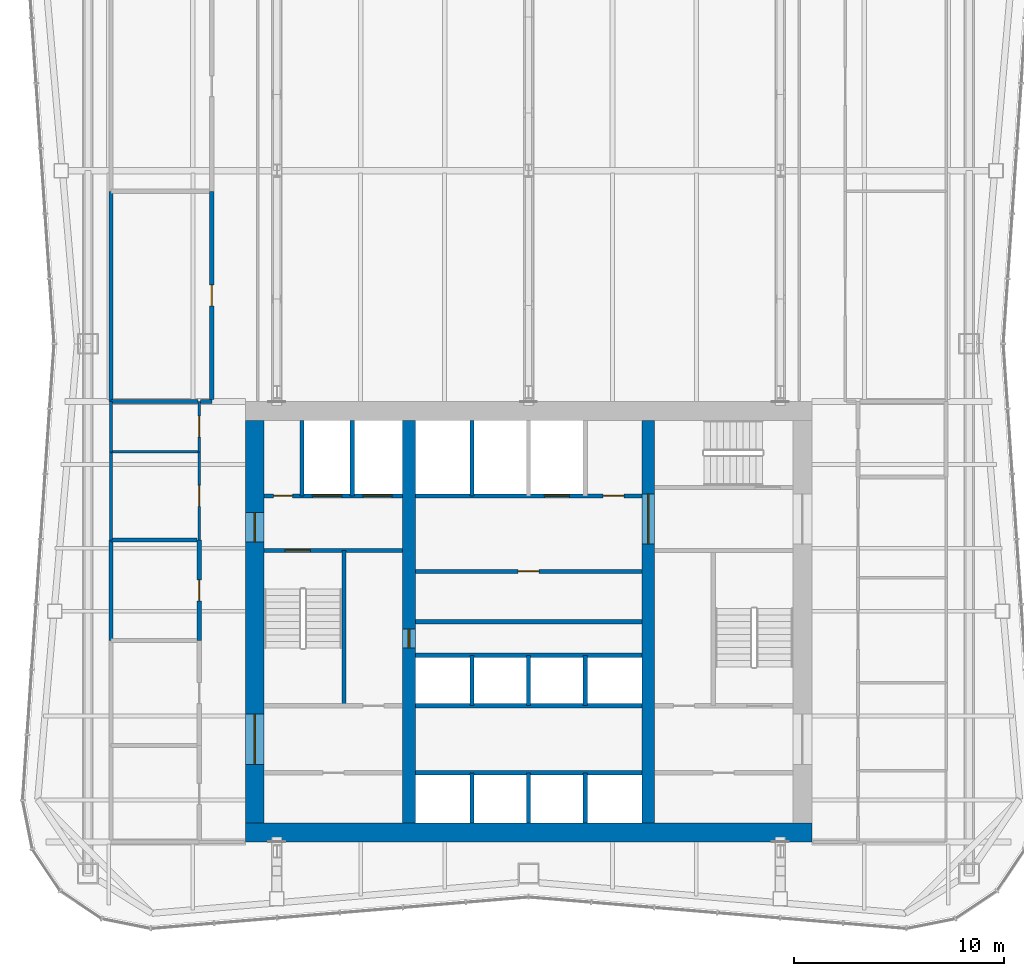
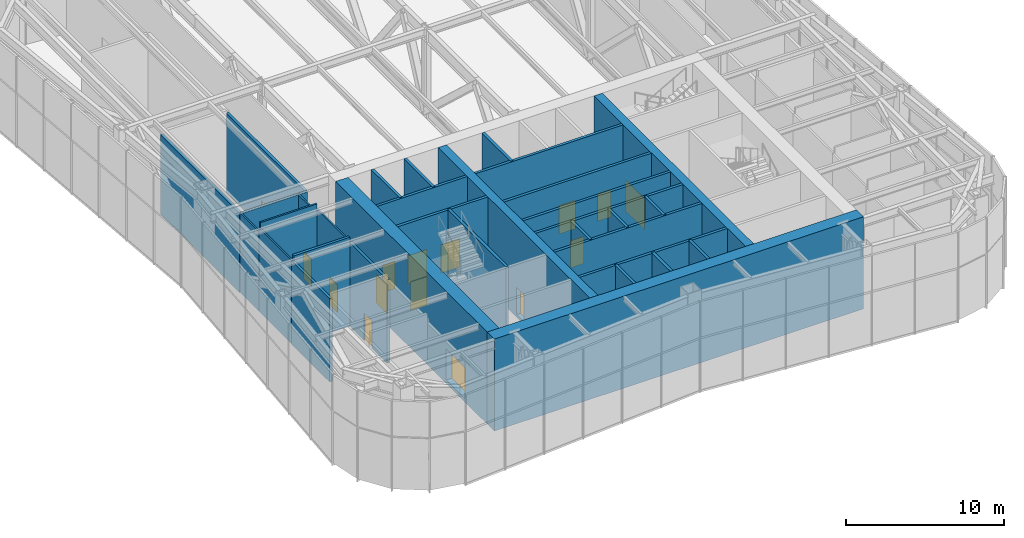
# One storey, part 9 of 14: 34 walls, 15 doors, 15 openings.
"""IFC4 building model written with IfcOpenShell, lengths in metres."""

from ifc_helpers import new_model, si_unit, direction, frame, frame_2d, origin, place, context, subcontext, project, spatial, rectangle, extrude, material, layer, layer_set, type_object, element, fill, save


model = new_model("IFC4")

# Units and contexts
model_context = context("Model", 3, precision=1e-05, world=origin(), true_north=direction((0.0, 1.0)))
body_context = subcontext(model_context, "Body", "Model", "MODEL_VIEW")
ifc_project = project(units=[si_unit("LENGTHUNIT", "METRE"), si_unit("AREAUNIT", "SQUARE_METRE"), si_unit("VOLUMEUNIT", "CUBIC_METRE"), si_unit("PLANEANGLEUNIT", "RADIAN"), si_unit("MASSUNIT", "GRAM", prefix="KILO")], contexts=[model_context])

# Site, building, storey
site_placement = place(None, origin())
site = spatial("IfcSite", under=ifc_project, at=site_placement, CompositionType="ELEMENT")
building_placement = place(site_placement, origin())
building = spatial("IfcBuilding", under=site, at=building_placement, Name="Verdant Reach Tower", CompositionType="ELEMENT")
storey_placement = place(building_placement, frame((0.0, 0.0, 226.0)))
storey = spatial("IfcBuildingStorey", under=building, at=storey_placement, Name="L52 Plant", CompositionType="ELEMENT", Elevation=226.0)

# Wall
ifc_material_1 = material(Name="Gypsum board on steel studs", Category="steel")
ifc_layer_1 = layer(ifc_material_1, 0.199951171875)
ifc_layer_set_1 = layer_set([ifc_layer_1], Name="CO-WALL-ROOM")
wall_type_1 = type_object("IfcWallType", Name="CO-WALL-ROOM", PredefinedType="PARTITIONING", material=ifc_layer_set_1)
wall_1_placement = place(storey_placement, frame((-5.39990234375, 28.0, 0.0), z_axis=(0.0, 0.0, 1.0), x_axis=(1.0, 0.0, 0.0)))
element("IfcWall", 1, at=wall_1_placement, inside=storey, type_object=wall_type_1, Name="Core partition, L52 Plant", PredefinedType="PARTITIONING", context=body_context, shape_type="SweptSolid", body=[
    extrude(rectangle(XDim=10.7998046875, YDim=0.199951171875, at=frame_2d((5.39990234375, 0.0))), origin(), (0.0, 0.0, 1.0), 6.8701171875),
])

# Wall, opening, door
wall_2_placement = place(storey_placement, frame((-5.39990234375, 30.39990234375, 0.0), z_axis=(0.0, 0.0, 1.0), x_axis=(1.0, 0.0, 0.0)))
wall_2 = element("IfcWall", 2, at=wall_2_placement, inside=storey, type_object=wall_type_1, Name="Core partition, L52 Plant", PredefinedType="PARTITIONING", context=body_context, shape_type="SweptSolid", body=[
    extrude(rectangle(XDim=10.7998046875, YDim=0.199951171875, at=frame_2d((5.39990234375, 0.0))), origin(), (0.0, 0.0, 1.0), 6.8701171875),
])
opening_1_placement = place(wall_2_placement, frame((4.89990234375, 0.0, 0.0)))
opening_1 = element("IfcOpeningElement", 3, at=opening_1_placement, cuts=wall_2, Name="Opening CD", PredefinedType="OPENING", context=body_context, shape_type="SweptSolid", body=[
    extrude(rectangle(XDim=1.0, YDim=2.10009765625, at=frame_2d((0.5, 1.050048828125))), frame((0.0, 0.10986328125, 0.0), z_axis=(0.0, -1.0, 0.0), x_axis=(1.0, 0.0, 0.0)), (0.0, 0.0, 1.0), 0.219970703125),
])
ifc_material_2 = material(Name="Timber", Category="wood")
door_type_1 = type_object("IfcDoorType", Name="CO-DOOR-ROOM", OperationType="NOTDEFINED", PredefinedType="DOOR", material=ifc_material_2)
door_1_placement = place(opening_1_placement, origin())
door_1 = element("IfcDoor", 4, at=door_1_placement, inside=storey, type_object=door_type_1, Name="Core room door, L52 Plant", OperationType="SINGLE_SWING_RIGHT", OverallHeight=2.10009765625, OverallWidth=1.0, PredefinedType="DOOR", context=body_context, shape_type="SweptSolid", body=[
    extrude(rectangle(XDim=1.0, YDim=2.10009765625, at=frame_2d((0.5, 1.050048828125))), frame((0.0, 0.02490234375, 0.0), z_axis=(0.0, -1.0, 0.0), x_axis=(1.0, 0.0, 0.0)), (0.0, 0.0, 1.0), 0.050048828125),
])
fill(opening_1, door_1)

# Walls
ifc_material_3 = material(Name="Concrete C40/50", Category="concrete")
ifc_layer_2 = layer(ifc_material_3, 0.199951171875)
ifc_layer_set_2 = layer_set([ifc_layer_2], Name="CO-WALL-SHAFT")
wall_type_2 = type_object("IfcWallType", Name="CO-WALL-SHAFT", PredefinedType="PARTITIONING", material=ifc_layer_set_2)
for number, where, z_axis, x_axis, name in (
    (5, (-5.39990234375, 20.800048828125, 0.0), (0.0, 0.0, 1.0), (1.0, 0.0, 0.0), "Lift shaft wall, L52 Plant"),
    (6, (-5.39990234375, 24.0, 0.0), (0.0, 0.0, 1.0), (1.0, 0.0, 0.0), "Lift shaft wall, L52 Plant"),
    (7, (-5.39990234375, 26.39990234375, 0.0), (0.0, 0.0, 1.0), (1.0, 0.0, 0.0), "Lift shaft wall, L52 Plant"),
):
    element("IfcWall", number, at=place(storey_placement, frame(where, z_axis=z_axis, x_axis=x_axis)), inside=storey, type_object=wall_type_2, Name=name, PredefinedType="PARTITIONING", context=body_context, shape_type="SweptSolid", body=[
        extrude(rectangle(XDim=10.7998046875, YDim=0.199951171875, at=frame_2d((5.39990234375, 0.0))), origin(), (0.0, 0.0, 1.0), 6.8701171875),
    ])

# Wall, openings, doors
wall_3_placement = place(storey_placement, frame((-12.60009765625, 34.0, 0.0), z_axis=(0.0, 0.0, 1.0), x_axis=(1.0, 0.0, 0.0)))
wall_3 = element("IfcWall", 8, at=wall_3_placement, inside=storey, type_object=wall_type_2, Name="Lift shaft wall, L52 Plant", PredefinedType="PARTITIONING", context=body_context, shape_type="SweptSolid", body=[
    extrude(rectangle(XDim=6.60009765625, YDim=0.199951171875, at=frame_2d((3.300048828125, 0.0))), origin(), (0.0, 0.0, 1.0), 6.8701171875),
])
opening_2_placement = place(wall_3_placement, frame((4.699951171875, 0.0, 0.0)))
opening_2 = element("IfcOpeningElement", 9, at=opening_2_placement, cuts=wall_3, Name="Opening LD-F1", PredefinedType="OPENING", context=body_context, shape_type="SweptSolid", body=[
    extrude(rectangle(XDim=1.39990234375, YDim=2.199951171875, at=frame_2d((0.699951171875, 1.10009765625))), frame((0.0, 0.10986328125, 0.0), z_axis=(0.0, -1.0, 0.0), x_axis=(1.0, 0.0, 0.0)), (0.0, 0.0, 1.0), 0.219970703125),
])
opening_3_placement = place(wall_3_placement, frame((2.300048828125, 0.0, 0.0)))
opening_3 = element("IfcOpeningElement", 10, at=opening_3_placement, cuts=wall_3, Name="Opening LD-F2", PredefinedType="OPENING", context=body_context, shape_type="SweptSolid", body=[
    extrude(rectangle(XDim=1.39990234375, YDim=2.199951171875, at=frame_2d((0.699951171875, 1.10009765625))), frame((0.0, 0.10986328125, 0.0), z_axis=(0.0, -1.0, 0.0), x_axis=(1.0, 0.0, 0.0)), (0.0, 0.0, 1.0), 0.219970703125),
])
opening_4_placement = place(wall_3_placement, frame((0.449951171875, 0.0, 0.0)))
opening_4 = element("IfcOpeningElement", 11, at=opening_4_placement, cuts=wall_3, Name="Opening RD", PredefinedType="OPENING", context=body_context, shape_type="SweptSolid", body=[
    extrude(rectangle(XDim=0.89990234375, YDim=2.10009765625, at=frame_2d((0.449951171875, 1.050048828125))), frame((0.0, 0.10986328125, 0.0), z_axis=(0.0, -1.0, 0.0), x_axis=(1.0, 0.0, 0.0)), (0.0, 0.0, 1.0), 0.219970703125),
])
ifc_material_4 = material(Name="Stainless steel", Category="steel")
door_type_2 = type_object("IfcDoorType", Name="CO-DOOR-LANDING-FF", OperationType="SLIDING_TO_LEFT", PredefinedType="DOOR", material=ifc_material_4)
door_2_placement = place(opening_2_placement, origin())
door_2 = element("IfcDoor", 12, at=door_2_placement, inside=storey, type_object=door_type_2, Name="Landing door F1, L52 Plant", OperationType="SLIDING_TO_LEFT", OverallHeight=2.199951171875, OverallWidth=1.39990234375, PredefinedType="DOOR", context=body_context, shape_type="SweptSolid", body=[
    extrude(rectangle(XDim=1.39990234375, YDim=2.199951171875, at=frame_2d((0.699951171875, 1.10009765625))), frame((0.0, 0.02490234375, 0.0), z_axis=(0.0, -1.0, 0.0), x_axis=(1.0, 0.0, 0.0)), (0.0, 0.0, 1.0), 0.050048828125),
])
fill(opening_2, door_2)
door_3_placement = place(opening_3_placement, origin())
door_3 = element("IfcDoor", 13, at=door_3_placement, inside=storey, type_object=door_type_2, Name="Landing door F2, L52 Plant", OperationType="SLIDING_TO_LEFT", OverallHeight=2.199951171875, OverallWidth=1.39990234375, PredefinedType="DOOR", context=body_context, shape_type="SweptSolid", body=[
    extrude(rectangle(XDim=1.39990234375, YDim=2.199951171875, at=frame_2d((0.699951171875, 1.10009765625))), frame((0.0, 0.02490234375, 0.0), z_axis=(0.0, -1.0, 0.0), x_axis=(1.0, 0.0, 0.0)), (0.0, 0.0, 1.0), 0.050048828125),
])
fill(opening_3, door_3)
ifc_material_5 = material(Name="Steel", Category="steel")
door_type_3 = type_object("IfcDoorType", Name="CO-DOOR-RISER", OperationType="NOTDEFINED", PredefinedType="DOOR", material=ifc_material_5)
door_4_placement = place(opening_4_placement, origin())
door_4 = element("IfcDoor", 14, at=door_4_placement, inside=storey, type_object=door_type_3, Name="Core room door, L52 Plant", OperationType="SINGLE_SWING_RIGHT", OverallHeight=2.10009765625, OverallWidth=0.89990234375, PredefinedType="DOOR", context=body_context, shape_type="SweptSolid", body=[
    extrude(rectangle(XDim=0.89990234375, YDim=2.10009765625, at=frame_2d((0.449951171875, 1.050048828125))), frame((0.0, 0.02490234375, 0.0), z_axis=(0.0, -1.0, 0.0), x_axis=(1.0, 0.0, 0.0)), (0.0, 0.0, 1.0), 0.050048828125),
])
fill(opening_4, door_4)

wall_4_placement = place(storey_placement, frame((-5.39990234375, 34.0, 0.0), z_axis=(0.0, 0.0, 1.0), x_axis=(1.0, 0.0, 0.0)))
wall_4 = element("IfcWall", 15, at=wall_4_placement, inside=storey, type_object=wall_type_2, Name="Lift shaft wall, L52 Plant", PredefinedType="PARTITIONING", context=body_context, shape_type="SweptSolid", body=[
    extrude(rectangle(XDim=10.7998046875, YDim=0.199951171875, at=frame_2d((5.39990234375, 0.0))), origin(), (0.0, 0.0, 1.0), 6.8701171875),
])
opening_5_placement = place(wall_4_placement, frame((6.14990234375, 0.0, 0.0)))
opening_5 = element("IfcOpeningElement", 16, at=opening_5_placement, cuts=wall_4, Name="Opening LD-SL1", PredefinedType="OPENING", context=body_context, shape_type="SweptSolid", body=[
    extrude(rectangle(XDim=1.199951171875, YDim=2.199951171875, at=frame_2d((0.60009765625, 1.10009765625))), frame((0.0, 0.10986328125, 0.0), z_axis=(0.0, -1.0, 0.0), x_axis=(1.0, 0.0, 0.0)), (0.0, 0.0, 1.0), 0.219970703125),
])
opening_6_placement = place(wall_4_placement, frame((8.949951171875, 0.0, 0.0)))
opening_6 = element("IfcOpeningElement", 17, at=opening_6_placement, cuts=wall_4, Name="Opening CD", PredefinedType="OPENING", context=body_context, shape_type="SweptSolid", body=[
    extrude(rectangle(XDim=1.0, YDim=2.10009765625, at=frame_2d((0.5, 1.050048828125))), frame((0.0, 0.10986328125, 0.0), z_axis=(0.0, -1.0, 0.0), x_axis=(1.0, 0.0, 0.0)), (0.0, 0.0, 1.0), 0.219970703125),
])
door_type_4 = type_object("IfcDoorType", Name="CO-DOOR-LANDING", OperationType="SLIDING_TO_LEFT", PredefinedType="DOOR", material=ifc_material_4)
door_5_placement = place(opening_5_placement, origin())
door_5 = element("IfcDoor", 18, at=door_5_placement, inside=storey, type_object=door_type_4, Name="Landing door SL1, L52 Plant", OperationType="SLIDING_TO_LEFT", OverallHeight=2.199951171875, OverallWidth=1.199951171875, PredefinedType="DOOR", context=body_context, shape_type="SweptSolid", body=[
    extrude(rectangle(XDim=1.199951171875, YDim=2.199951171875, at=frame_2d((0.60009765625, 1.10009765625))), frame((0.0, 0.02490234375, 0.0), z_axis=(0.0, -1.0, 0.0), x_axis=(1.0, 0.0, 0.0)), (0.0, 0.0, 1.0), 0.050048828125),
])
fill(opening_5, door_5)
door_6_placement = place(opening_6_placement, origin())
door_6 = element("IfcDoor", 19, at=door_6_placement, inside=storey, type_object=door_type_1, Name="Core room door, L52 Plant", OperationType="SINGLE_SWING_LEFT", OverallHeight=2.10009765625, OverallWidth=1.0, PredefinedType="DOOR", context=body_context, shape_type="SweptSolid", body=[
    extrude(rectangle(XDim=1.0, YDim=2.10009765625, at=frame_2d((0.5, 1.050048828125))), frame((0.0, 0.02490234375, 0.0), z_axis=(0.0, -1.0, 0.0), x_axis=(1.0, 0.0, 0.0)), (0.0, 0.0, 1.0), 0.050048828125),
])
fill(opening_6, door_6)

# Walls
for number, where, z_axis, x_axis, name in (
    (20, (-10.800048828125, 34.0, 0.0), (0.0, 0.0, 1.0), (0.0, 1.0, 0.0), "Lift shaft wall, L52 Plant"),
    (21, (-8.39990234375, 34.0, 0.0), (0.0, 0.0, 1.0), (0.0, 1.0, 0.0), "Lift shaft wall, L52 Plant"),
):
    element("IfcWall", number, at=place(storey_placement, frame(where, z_axis=z_axis, x_axis=x_axis)), inside=storey, type_object=wall_type_2, Name=name, PredefinedType="PARTITIONING", context=body_context, shape_type="SweptSolid", body=[
        extrude(rectangle(XDim=3.60009765625, YDim=0.199951171875, at=frame_2d((1.800048828125, 0.0))), origin(), (0.0, 0.0, 1.0), 6.8701171875),
    ])
wall_5_placement = place(storey_placement, frame((-2.699951171875, 18.39990234375, 0.0), z_axis=(0.0, 0.0, 1.0), x_axis=(0.0, 1.0, 0.0)))
element("IfcWall", 22, at=wall_5_placement, inside=storey, type_object=wall_type_2, Name="Lift shaft wall, L52 Plant", PredefinedType="PARTITIONING", context=body_context, shape_type="SweptSolid", body=[
    extrude(rectangle(XDim=2.400146484375, YDim=0.199951171875, at=frame_2d((1.2001953125, 0.0))), origin(), (0.0, 0.0, 1.0), 6.8701171875),
])
wall_6_placement = place(storey_placement, frame((-2.699951171875, 24.0, 0.0), z_axis=(0.0, 0.0, 1.0), x_axis=(0.0, 1.0, 0.0)))
element("IfcWall", 23, at=wall_6_placement, inside=storey, type_object=wall_type_2, Name="Lift shaft wall, L52 Plant", PredefinedType="PARTITIONING", context=body_context, shape_type="SweptSolid", body=[
    extrude(rectangle(XDim=2.39990234375, YDim=0.199951171875, at=frame_2d((1.199951171875, 0.0))), origin(), (0.0, 0.0, 1.0), 6.8701171875),
])
wall_7_placement = place(storey_placement, frame((-2.699951171875, 34.0, 0.0), z_axis=(0.0, 0.0, 1.0), x_axis=(0.0, 1.0, 0.0)))
element("IfcWall", 24, at=wall_7_placement, inside=storey, type_object=wall_type_2, Name="Lift shaft wall, L52 Plant", PredefinedType="PARTITIONING", context=body_context, shape_type="SweptSolid", body=[
    extrude(rectangle(XDim=3.60009765625, YDim=0.199951171875, at=frame_2d((1.800048828125, 0.0))), origin(), (0.0, 0.0, 1.0), 6.8701171875),
])
wall_8_placement = place(storey_placement, frame((0.0, 18.39990234375, 0.0), z_axis=(0.0, 0.0, 1.0), x_axis=(0.0, 1.0, 0.0)))
element("IfcWall", 25, at=wall_8_placement, inside=storey, type_object=wall_type_2, Name="Lift shaft wall, L52 Plant", PredefinedType="PARTITIONING", context=body_context, shape_type="SweptSolid", body=[
    extrude(rectangle(XDim=2.400146484375, YDim=0.199951171875, at=frame_2d((1.2001953125, 0.0))), origin(), (0.0, 0.0, 1.0), 6.8701171875),
])
wall_9_placement = place(storey_placement, frame((0.0, 24.0, 0.0), z_axis=(0.0, 0.0, 1.0), x_axis=(0.0, 1.0, 0.0)))
element("IfcWall", 26, at=wall_9_placement, inside=storey, type_object=wall_type_2, Name="Lift shaft wall, L52 Plant", PredefinedType="PARTITIONING", context=body_context, shape_type="SweptSolid", body=[
    extrude(rectangle(XDim=2.39990234375, YDim=0.199951171875, at=frame_2d((1.199951171875, 0.0))), origin(), (0.0, 0.0, 1.0), 6.8701171875),
])
wall_10_placement = place(storey_placement, frame((2.699951171875, 18.39990234375, 0.0), z_axis=(0.0, 0.0, 1.0), x_axis=(0.0, 1.0, 0.0)))
element("IfcWall", 27, at=wall_10_placement, inside=storey, type_object=wall_type_2, Name="Lift shaft wall, L52 Plant", PredefinedType="PARTITIONING", context=body_context, shape_type="SweptSolid", body=[
    extrude(rectangle(XDim=2.400146484375, YDim=0.199951171875, at=frame_2d((1.2001953125, 0.0))), origin(), (0.0, 0.0, 1.0), 6.8701171875),
])
wall_11_placement = place(storey_placement, frame((2.699951171875, 24.0, 0.0), z_axis=(0.0, 0.0, 1.0), x_axis=(0.0, 1.0, 0.0)))
element("IfcWall", 28, at=wall_11_placement, inside=storey, type_object=wall_type_2, Name="Lift shaft wall, L52 Plant", PredefinedType="PARTITIONING", context=body_context, shape_type="SweptSolid", body=[
    extrude(rectangle(XDim=2.39990234375, YDim=0.199951171875, at=frame_2d((1.199951171875, 0.0))), origin(), (0.0, 0.0, 1.0), 6.8701171875),
])

# Wall, opening, door
ifc_layer_3 = layer(ifc_material_3, 0.199951171875)
ifc_layer_set_3 = layer_set([ifc_layer_3], Name="CO-WALL-STAIR")
wall_type_3 = type_object("IfcWallType", Name="CO-WALL-STAIR", PredefinedType="PARTITIONING", material=ifc_layer_set_3)
wall_12_placement = place(storey_placement, frame((-12.60009765625, 31.39990234375, 0.0), z_axis=(0.0, 0.0, 1.0), x_axis=(1.0, 0.0, 0.0)))
wall_12 = element("IfcWall", 29, at=wall_12_placement, inside=storey, type_object=wall_type_3, Name="Stair enclosure wall, L52 Plant", PredefinedType="PARTITIONING", context=body_context, shape_type="SweptSolid", body=[
    extrude(rectangle(XDim=6.60009765625, YDim=0.199951171875, at=frame_2d((3.300048828125, 0.0))), origin(), (0.0, 0.0, 1.0), 6.8701171875),
])
opening_7_placement = place(wall_12_placement, frame((1.0, 0.0, 0.0)))
opening_7 = element("IfcOpeningElement", 30, at=opening_7_placement, cuts=wall_12, Name="Opening SD", PredefinedType="OPENING", context=body_context, shape_type="SweptSolid", body=[
    extrude(rectangle(XDim=1.199951171875, YDim=2.199951171875, at=frame_2d((0.60009765625, 1.10009765625))), frame((0.0, 0.10986328125, 0.0), z_axis=(0.0, -1.0, 0.0), x_axis=(1.0, 0.0, 0.0)), (0.0, 0.0, 1.0), 0.219970703125),
])
door_type_5 = type_object("IfcDoorType", Name="CO-DOOR-STAIR", OperationType="NOTDEFINED", PredefinedType="DOOR", material=ifc_material_5)
door_7_placement = place(opening_7_placement, origin())
door_7 = element("IfcDoor", 31, at=door_7_placement, inside=storey, type_object=door_type_5, Name="Stair door, L52 Plant", OperationType="SINGLE_SWING_LEFT", OverallHeight=2.199951171875, OverallWidth=1.199951171875, PredefinedType="DOOR", context=body_context, shape_type="SweptSolid", body=[
    extrude(rectangle(XDim=1.199951171875, YDim=2.199951171875, at=frame_2d((0.60009765625, 1.10009765625))), frame((0.0, 0.02490234375, 0.0), z_axis=(0.0, -1.0, 0.0), x_axis=(1.0, 0.0, 0.0)), (0.0, 0.0, 1.0), 0.050048828125),
])
fill(opening_7, door_7)

# Wall
wall_13_placement = place(storey_placement, frame((-8.800048828125, 24.0, 0.0), z_axis=(0.0, 0.0, 1.0), x_axis=(0.0, 1.0, 0.0)))
element("IfcWall", 32, at=wall_13_placement, inside=storey, type_object=wall_type_3, Name="Stair enclosure wall, L52 Plant", PredefinedType="PARTITIONING", context=body_context, shape_type="SweptSolid", body=[
    extrude(rectangle(XDim=7.39990234375, YDim=0.199951171875, at=frame_2d((3.699951171875, 0.0))), origin(), (0.0, 0.0, 1.0), 6.8701171875),
])

# Wall, opening, door
ifc_material_6 = material(Name="Concrete C70/85", Category="concrete")
ifc_layer_4 = layer(ifc_material_6, 0.60009765625)
ifc_layer_set_4 = layer_set([ifc_layer_4], Name="ST-CORE-WALL-600")
wall_type_4 = type_object("IfcWallType", Name="ST-CORE-WALL-600", PredefinedType="SHEAR", material=ifc_layer_set_4)
wall_14_placement = place(storey_placement, frame((-5.699951171875, 18.39990234375, -0.25), z_axis=(0.0, 0.0, 1.0), x_axis=(0.0, 1.0, 0.0)))
wall_14 = element("IfcWall", 33, at=wall_14_placement, inside=storey, type_object=wall_type_4, Name="Core wall XW, L52 Plant", PredefinedType="SHEAR", context=body_context, shape_type="SweptSolid", body=[
    extrude(rectangle(XDim=19.2001953125, YDim=0.60009765625, at=frame_2d((9.60009765625, 0.0))), origin(), (0.0, 0.0, 1.0), 7.1201171875),
])
opening_8_placement = place(wall_14_placement, frame((8.35009765625, 0.0, 0.25)))
opening_8 = element("IfcOpeningElement", 34, at=opening_8_placement, cuts=wall_14, Name="Opening RD", PredefinedType="OPENING", context=body_context, shape_type="SweptSolid", body=[
    extrude(rectangle(XDim=0.89990234375, YDim=2.10009765625, at=frame_2d((0.449951171875, 1.050048828125))), frame((0.0, 0.31005859375, 0.0), z_axis=(0.0, -1.0, 0.0), x_axis=(1.0, 0.0, 0.0)), (0.0, 0.0, 1.0), 0.6201171875),
])
door_8_placement = place(opening_8_placement, origin())
door_8 = element("IfcDoor", 35, at=door_8_placement, inside=storey, type_object=door_type_3, Name="Riser door, L52 Plant", OperationType="SINGLE_SWING_LEFT", OverallHeight=2.10009765625, OverallWidth=0.89990234375, PredefinedType="DOOR", context=body_context, shape_type="SweptSolid", body=[
    extrude(rectangle(XDim=0.89990234375, YDim=2.10009765625, at=frame_2d((0.449951171875, 1.050048828125))), frame((0.0, 0.02490234375, 0.0), z_axis=(0.0, -1.0, 0.0), x_axis=(1.0, 0.0, 0.0)), (0.0, 0.0, 1.0), 0.050048828125),
])
fill(opening_8, door_8)

wall_15_placement = place(storey_placement, frame((5.699951171875, 18.39990234375, -0.25), z_axis=(0.0, 0.0, 1.0), x_axis=(0.0, 1.0, 0.0)))
wall_15 = element("IfcWall", 36, at=wall_15_placement, inside=storey, type_object=wall_type_4, Name="Core wall XE, L52 Plant", PredefinedType="SHEAR", context=body_context, shape_type="SweptSolid", body=[
    extrude(rectangle(XDim=19.2001953125, YDim=0.60009765625, at=frame_2d((9.60009765625, 0.0))), origin(), (0.0, 0.0, 1.0), 7.1201171875),
])
opening_9_placement = place(wall_15_placement, frame((13.300048828125, 0.0, 0.25)))
opening_9 = element("IfcOpeningElement", 37, at=opening_9_placement, cuts=wall_15, Name="Opening LB", PredefinedType="OPENING", context=body_context, shape_type="SweptSolid", body=[
    extrude(rectangle(XDim=2.39990234375, YDim=2.39990234375, at=frame_2d((1.199951171875, 1.199951171875))), frame((0.0, 0.31005859375, 0.0), z_axis=(0.0, -1.0, 0.0), x_axis=(1.0, 0.0, 0.0)), (0.0, 0.0, 1.0), 0.6201171875),
])
ifc_material_7 = material(Name="Glass and steel", Category="steel")
door_type_6 = type_object("IfcDoorType", Name="CO-DOOR-LOBBY", OperationType="DOUBLE_DOOR_SINGLE_SWING", PredefinedType="DOOR", material=ifc_material_7)
door_9_placement = place(opening_9_placement, origin())
door_9 = element("IfcDoor", 38, at=door_9_placement, inside=storey, type_object=door_type_6, Name="Core entrance door, L52 Plant", OperationType="DOUBLE_DOOR_SINGLE_SWING", OverallHeight=2.39990234375, OverallWidth=2.39990234375, PredefinedType="DOOR", context=body_context, shape_type="SweptSolid", body=[
    extrude(rectangle(XDim=2.39990234375, YDim=2.39990234375, at=frame_2d((1.199951171875, 1.199951171875))), frame((0.0, 0.02490234375, 0.0), z_axis=(0.0, -1.0, 0.0), x_axis=(1.0, 0.0, 0.0)), (0.0, 0.0, 1.0), 0.050048828125),
])
fill(opening_9, door_9)

# Wall
ifc_layer_5 = layer(ifc_material_6, 0.89990234375)
ifc_layer_set_5 = layer_set([ifc_layer_5], Name="ST-CORE-WALL-900")
wall_type_5 = type_object("IfcWallType", Name="ST-CORE-WALL-900", PredefinedType="SHEAR", material=ifc_layer_set_5)
wall_16_placement = place(storey_placement, frame((-13.5, 17.949951171875, -0.25), z_axis=(0.0, 0.0, 1.0), x_axis=(1.0, 0.0, 0.0)))
element("IfcWall", 39, at=wall_16_placement, inside=storey, type_object=wall_type_5, Name="Core wall S, L52 Plant", PredefinedType="SHEAR", context=body_context, shape_type="SweptSolid", body=[
    extrude(rectangle(XDim=27.0, YDim=0.89990234375, at=frame_2d((13.5, 0.0))), origin(), (0.0, 0.0, 1.0), 7.1201171875),
])

# Wall, openings, doors
wall_17_placement = place(storey_placement, frame((-13.050048828125, 18.39990234375, -0.25), z_axis=(0.0, 0.0, 1.0), x_axis=(0.0, 1.0, 0.0)))
wall_17 = element("IfcWall", 40, at=wall_17_placement, inside=storey, type_object=wall_type_5, Name="Core wall W, L52 Plant", PredefinedType="SHEAR", context=body_context, shape_type="SweptSolid", body=[
    extrude(rectangle(XDim=19.2001953125, YDim=0.89990234375, at=frame_2d((9.60009765625, 0.0))), origin(), (0.0, 0.0, 1.0), 7.1201171875),
])
opening_10_placement = place(wall_17_placement, frame((2.800048828125, 0.0, 0.25)))
opening_10 = element("IfcOpeningElement", 41, at=opening_10_placement, cuts=wall_17, Name="Opening LB", PredefinedType="OPENING", context=body_context, shape_type="SweptSolid", body=[
    extrude(rectangle(XDim=2.39990234375, YDim=2.39990234375, at=frame_2d((1.199951171875, 1.199951171875))), frame((0.0, 0.4599609375, 0.0), z_axis=(0.0, -1.0, 0.0), x_axis=(1.0, 0.0, 0.0)), (0.0, 0.0, 1.0), 0.919921875),
])
opening_11_placement = place(wall_17_placement, frame((13.39990234375, 0.0, 0.25)))
opening_11 = element("IfcOpeningElement", 42, at=opening_11_placement, cuts=wall_17, Name="Opening FL", PredefinedType="OPENING", context=body_context, shape_type="SweptSolid", body=[
    extrude(rectangle(XDim=1.39990234375, YDim=2.199951171875, at=frame_2d((0.699951171875, 1.10009765625))), frame((0.0, 0.4599609375, 0.0), z_axis=(0.0, -1.0, 0.0), x_axis=(1.0, 0.0, 0.0)), (0.0, 0.0, 1.0), 0.919921875),
])
door_type_7 = type_object("IfcDoorType", Name="CO-DOOR-FFL", OperationType="NOTDEFINED", PredefinedType="DOOR", material=ifc_material_5)
door_10_placement = place(opening_11_placement, origin())
door_10 = element("IfcDoor", 43, at=door_10_placement, inside=storey, type_object=door_type_7, Name="Core entrance door, L52 Plant", OperationType="SINGLE_SWING_LEFT", OverallHeight=2.199951171875, OverallWidth=1.39990234375, PredefinedType="DOOR", context=body_context, shape_type="SweptSolid", body=[
    extrude(rectangle(XDim=1.39990234375, YDim=2.199951171875, at=frame_2d((0.699951171875, 1.10009765625))), frame((0.0, 0.02490234375, 0.0), z_axis=(0.0, -1.0, 0.0), x_axis=(1.0, 0.0, 0.0)), (0.0, 0.0, 1.0), 0.050048828125),
])
fill(opening_11, door_10)
door_11_placement = place(opening_10_placement, origin())
door_11 = element("IfcDoor", 44, at=door_11_placement, inside=storey, type_object=door_type_6, Name="Core entrance door, L52 Plant", OperationType="DOUBLE_DOOR_SINGLE_SWING", OverallHeight=2.39990234375, OverallWidth=2.39990234375, PredefinedType="DOOR", context=body_context, shape_type="SweptSolid", body=[
    extrude(rectangle(XDim=2.39990234375, YDim=2.39990234375, at=frame_2d((1.199951171875, 1.199951171875))), frame((0.0, 0.02490234375, 0.0), z_axis=(0.0, -1.0, 0.0), x_axis=(1.0, 0.0, 0.0)), (0.0, 0.0, 1.0), 0.050048828125),
])
fill(opening_10, door_11)

# Wall, opening, door
ifc_material_8 = material(Name="Gypsum board on steel studs, fire rated", Category="steel")
ifc_layer_6 = layer(ifc_material_8, 0.125)
ifc_layer_set_6 = layer_set([ifc_layer_6], Name="SV-W2 Plant wall 125 EI 60")
wall_type_6 = type_object("IfcWallType", Name="SV-W2 Plant wall 125 EI 60", PredefinedType="PARTITIONING", material=ifc_layer_set_6)
wall_18_placement = place(storey_placement, frame((-15.699951171875, 36.10009765625, 0.0), z_axis=(0.0, 0.0, 1.0), x_axis=(0.0, -1.0, 0.0)))
wall_18 = element("IfcWall", 45, at=wall_18_placement, inside=storey, type_object=wall_type_6, Name="Partition L52.20", PredefinedType="PARTITIONING", context=body_context, shape_type="SweptSolid", body=[
    extrude(rectangle(XDim=4.2001953125, YDim=0.125, at=frame_2d((2.10009765625, 0.0))), origin(), (0.0, 0.0, 1.0), 6.43994140625),
])
opening_12_placement = place(wall_18_placement, frame((1.60009765625, 0.0, 0.0)))
opening_12 = element("IfcOpeningElement", 46, at=opening_12_placement, cuts=wall_18, Name="Opening SD2", PredefinedType="OPENING", context=body_context, shape_type="SweptSolid", body=[
    extrude(rectangle(XDim=1.0, YDim=2.10009765625, at=frame_2d((0.5, 1.050048828125))), frame((0.0, 0.072509765625, 0.0), z_axis=(0.0, -1.0, 0.0), x_axis=(1.0, 0.0, 0.0)), (0.0, 0.0, 1.0), 0.14501953125),
])
ifc_material_9 = material(Name="Steel door leaf, fire rated", Category="steel")
door_type_8 = type_object("IfcDoorType", Name="SV-D2 Door 1000x2100 FD60", OperationType="NOTDEFINED", PredefinedType="DOOR", material=ifc_material_9)
door_12_placement = place(opening_12_placement, origin())
door_12 = element("IfcDoor", 47, at=door_12_placement, inside=storey, type_object=door_type_8, Name="Door L52-012", OperationType="SINGLE_SWING_RIGHT", OverallHeight=2.10009765625, OverallWidth=1.0, PredefinedType="DOOR", context=body_context, shape_type="SweptSolid", body=[
    extrude(rectangle(XDim=1.0, YDim=2.10009765625, at=frame_2d((0.5, 1.050048828125))), frame((0.0, 0.02490234375, 0.0), z_axis=(0.0, -1.0, 0.0), x_axis=(1.0, 0.0, 0.0)), (0.0, 0.0, 1.0), 0.050048828125),
])
fill(opening_12, door_12)

wall_19_placement = place(storey_placement, frame((-15.699951171875, 38.5, 0.0), z_axis=(0.0, 0.0, 1.0), x_axis=(0.0, -1.0, 0.0)))
wall_19 = element("IfcWall", 48, at=wall_19_placement, inside=storey, type_object=wall_type_6, Name="Partition L52.21", PredefinedType="PARTITIONING", context=body_context, shape_type="SweptSolid", body=[
    extrude(rectangle(XDim=2.39990234375, YDim=0.125, at=frame_2d((1.199951171875, 0.0))), origin(), (0.0, 0.0, 1.0), 6.139892578125),
])
opening_13_placement = place(wall_19_placement, frame((0.699951171875, 0.0, 0.0)))
opening_13 = element("IfcOpeningElement", 49, at=opening_13_placement, cuts=wall_19, Name="Opening SD2", PredefinedType="OPENING", context=body_context, shape_type="SweptSolid", body=[
    extrude(rectangle(XDim=1.0, YDim=2.10009765625, at=frame_2d((0.5, 1.050048828125))), frame((0.0, 0.072509765625, 0.0), z_axis=(0.0, -1.0, 0.0), x_axis=(1.0, 0.0, 0.0)), (0.0, 0.0, 1.0), 0.14501953125),
])
door_13_placement = place(opening_13_placement, origin())
door_13 = element("IfcDoor", 50, at=door_13_placement, inside=storey, type_object=door_type_8, Name="Door L52-013", OperationType="SINGLE_SWING_LEFT", OverallHeight=2.10009765625, OverallWidth=1.0, PredefinedType="DOOR", context=body_context, shape_type="SweptSolid", body=[
    extrude(rectangle(XDim=1.0, YDim=2.10009765625, at=frame_2d((0.5, 1.050048828125))), frame((0.0, 0.02490234375, 0.0), z_axis=(0.0, -1.0, 0.0), x_axis=(1.0, 0.0, 0.0)), (0.0, 0.0, 1.0), 0.050048828125),
])
fill(opening_13, door_13)

# Walls
wall_20_placement = place(storey_placement, frame((-19.89990234375, 36.10009765625, 0.0), z_axis=(0.0, 0.0, 1.0), x_axis=(1.0, 0.0, 0.0)))
element("IfcWall", 51, at=wall_20_placement, inside=storey, type_object=wall_type_6, Name="Partition L52.29", PredefinedType="PARTITIONING", context=body_context, shape_type="SweptSolid", body=[
    extrude(rectangle(XDim=4.137451171875, YDim=0.125, at=frame_2d((2.06884765625, 0.0))), origin(), (0.0, 0.0, 1.0), 6.8701171875),
])
wall_21_placement = place(storey_placement, frame((-19.89990234375, 31.902099609375, 0.0), z_axis=(0.0, 0.0, 1.0), x_axis=(0.0, 1.0, 0.0)))
element("IfcWall", 52, at=wall_21_placement, inside=storey, type_object=wall_type_6, Name="Partition L52.49", PredefinedType="PARTITIONING", context=body_context, shape_type="SweptSolid", body=[
    extrude(rectangle(XDim=4.19580078125, YDim=0.125, at=frame_2d((2.097900390625, 0.0))), origin(), (0.0, 0.0, 1.0), 6.43994140625),
])
wall_22_placement = place(storey_placement, frame((-19.89990234375, 36.10205078125, 0.0), z_axis=(0.0, 0.0, 1.0), x_axis=(0.0, 1.0, 0.0)))
element("IfcWall", 53, at=wall_22_placement, inside=storey, type_object=wall_type_6, Name="Partition L52.50", PredefinedType="PARTITIONING", context=body_context, shape_type="SweptSolid", body=[
    extrude(rectangle(XDim=2.39599609375, YDim=0.125, at=frame_2d((1.197998046875, 0.0))), origin(), (0.0, 0.0, 1.0), 6.139892578125),
])

# Wall, opening, door
ifc_material_10 = material(Name="Calcium silicate board on steel studs, fire rated", Category="steel")
ifc_layer_7 = layer(ifc_material_10, 0.199951171875)
ifc_layer_set_7 = layer_set([ifc_layer_7], Name="SV-W3 Fire wall 200 EI 120")
wall_type_7 = type_object("IfcWallType", Name="SV-W3 Fire wall 200 EI 120", PredefinedType="PARTITIONING", material=ifc_layer_set_7)
wall_23_placement = place(storey_placement, frame((-15.699951171875, 31.89990234375, 0.0), z_axis=(0.0, 0.0, 1.0), x_axis=(0.0, -1.0, 0.0)))
wall_23 = element("IfcWall", 54, at=wall_23_placement, inside=storey, type_object=wall_type_7, Name="Partition L52.19", PredefinedType="PARTITIONING", context=body_context, shape_type="SweptSolid", body=[
    extrude(rectangle(XDim=4.7998046875, YDim=0.199951171875, at=frame_2d((2.39990234375, 0.0))), origin(), (0.0, 0.0, 1.0), 6.43994140625),
])
opening_14_placement = place(wall_23_placement, frame((1.89990234375, 0.0, 0.0)))
opening_14 = element("IfcOpeningElement", 55, at=opening_14_placement, cuts=wall_23, Name="Opening SD4", PredefinedType="OPENING", context=body_context, shape_type="SweptSolid", body=[
    extrude(rectangle(XDim=1.0, YDim=2.10009765625, at=frame_2d((0.5, 1.050048828125))), frame((0.0, 0.10986328125, 0.0), z_axis=(0.0, -1.0, 0.0), x_axis=(1.0, 0.0, 0.0)), (0.0, 0.0, 1.0), 0.219970703125),
])
door_type_9 = type_object("IfcDoorType", Name="SV-D4 Door 1000x2100 FD120", OperationType="NOTDEFINED", PredefinedType="DOOR", material=ifc_material_9)
door_14_placement = place(opening_14_placement, origin())
door_14 = element("IfcDoor", 56, at=door_14_placement, inside=storey, type_object=door_type_9, Name="Door L52-011", OperationType="SINGLE_SWING_LEFT", OverallHeight=2.10009765625, OverallWidth=1.0, PredefinedType="DOOR", context=body_context, shape_type="SweptSolid", body=[
    extrude(rectangle(XDim=1.0, YDim=2.10009765625, at=frame_2d((0.5, 1.050048828125))), frame((0.0, 0.02490234375, 0.0), z_axis=(0.0, -1.0, 0.0), x_axis=(1.0, 0.0, 0.0)), (0.0, 0.0, 1.0), 0.050048828125),
])
fill(opening_14, door_14)

# Wall
wall_24_placement = place(storey_placement, frame((-15.637451171875, 38.5, 0.0), z_axis=(0.0, 0.0, 1.0), x_axis=(1.0, 0.0, 0.0)))
element("IfcWall", 57, at=wall_24_placement, inside=storey, type_object=wall_type_7, Name="Partition L52.22", PredefinedType="PARTITIONING", context=body_context, shape_type="SweptSolid", body=[
    extrude(rectangle(XDim=0.537353515625, YDim=0.199951171875, at=frame_2d((0.2685546875, 0.0))), origin(), (0.0, 0.0, 1.0), 6.139892578125),
])

# Wall, opening, door
wall_25_placement = place(storey_placement, frame((-15.10009765625, 48.514892578125, 0.0), z_axis=(0.0, 0.0, 1.0), x_axis=(0.0, -1.0, 0.0)))
wall_25 = element("IfcWall", 58, at=wall_25_placement, inside=storey, type_object=wall_type_7, Name="Partition L52.23", PredefinedType="PARTITIONING", context=body_context, shape_type="SweptSolid", body=[
    extrude(rectangle(XDim=9.914794921875, YDim=0.199951171875, at=frame_2d((4.95751953125, 0.0))), origin(), (0.0, 0.0, 1.0), 6.139892578125),
])
opening_15_placement = place(wall_25_placement, frame((4.45751953125, 0.0, 0.0)))
opening_15 = element("IfcOpeningElement", 59, at=opening_15_placement, cuts=wall_25, Name="Opening SD4", PredefinedType="OPENING", context=body_context, shape_type="SweptSolid", body=[
    extrude(rectangle(XDim=1.0, YDim=2.10009765625, at=frame_2d((0.5, 1.050048828125))), frame((0.0, 0.10986328125, 0.0), z_axis=(0.0, -1.0, 0.0), x_axis=(1.0, 0.0, 0.0)), (0.0, 0.0, 1.0), 0.219970703125),
])
door_15_placement = place(opening_15_placement, origin())
door_15 = element("IfcDoor", 60, at=door_15_placement, inside=storey, type_object=door_type_9, Name="Door L52-014", OperationType="SINGLE_SWING_RIGHT", OverallHeight=2.10009765625, OverallWidth=1.0, PredefinedType="DOOR", context=body_context, shape_type="SweptSolid", body=[
    extrude(rectangle(XDim=1.0, YDim=2.10009765625, at=frame_2d((0.5, 1.050048828125))), frame((0.0, 0.02490234375, 0.0), z_axis=(0.0, -1.0, 0.0), x_axis=(1.0, 0.0, 0.0)), (0.0, 0.0, 1.0), 0.050048828125),
])
fill(opening_15, door_15)

# Walls
wall_26_placement = place(storey_placement, frame((-19.89990234375, 31.89990234375, 0.0), z_axis=(0.0, 0.0, 1.0), x_axis=(1.0, 0.0, 0.0)))
element("IfcWall", 61, at=wall_26_placement, inside=storey, type_object=wall_type_7, Name="Partition L52.28", PredefinedType="PARTITIONING", context=body_context, shape_type="SweptSolid", body=[
    extrude(rectangle(XDim=4.099853515625, YDim=0.199951171875, at=frame_2d((2.0498046875, 0.0))), origin(), (0.0, 0.0, 1.0), 6.8701171875),
])
wall_27_placement = place(storey_placement, frame((-19.89990234375, 38.5, 0.0), z_axis=(0.0, 0.0, 1.0), x_axis=(1.0, 0.0, 0.0)))
element("IfcWall", 62, at=wall_27_placement, inside=storey, type_object=wall_type_7, Name="Partition L52.30", PredefinedType="PARTITIONING", context=body_context, shape_type="SweptSolid", body=[
    extrude(rectangle(XDim=4.137451171875, YDim=0.199951171875, at=frame_2d((2.06884765625, 0.0))), origin(), (0.0, 0.0, 1.0), 6.139892578125),
])
wall_28_placement = place(storey_placement, frame((-19.89990234375, 27.10205078125, 0.0), z_axis=(0.0, 0.0, 1.0), x_axis=(0.0, 1.0, 0.0)))
element("IfcWall", 63, at=wall_28_placement, inside=storey, type_object=wall_type_7, Name="Partition L52.48", PredefinedType="PARTITIONING", context=body_context, shape_type="SweptSolid", body=[
    extrude(rectangle(XDim=4.7958984375, YDim=0.199951171875, at=frame_2d((2.39794921875, 0.0))), origin(), (0.0, 0.0, 1.0), 6.43994140625),
])
wall_29_placement = place(storey_placement, frame((-19.89990234375, 38.501953125, 0.0), z_axis=(0.0, 0.0, 1.0), x_axis=(0.0, 1.0, 0.0)))
element("IfcWall", 64, at=wall_29_placement, inside=storey, type_object=wall_type_7, Name="Partition L52.51", PredefinedType="PARTITIONING", context=body_context, shape_type="SweptSolid", body=[
    extrude(rectangle(XDim=10.010986328125, YDim=0.199951171875, at=frame_2d((5.00537109375, 0.0))), origin(), (0.0, 0.0, 1.0), 6.139892578125),
])

save(model, "model.ifc")
